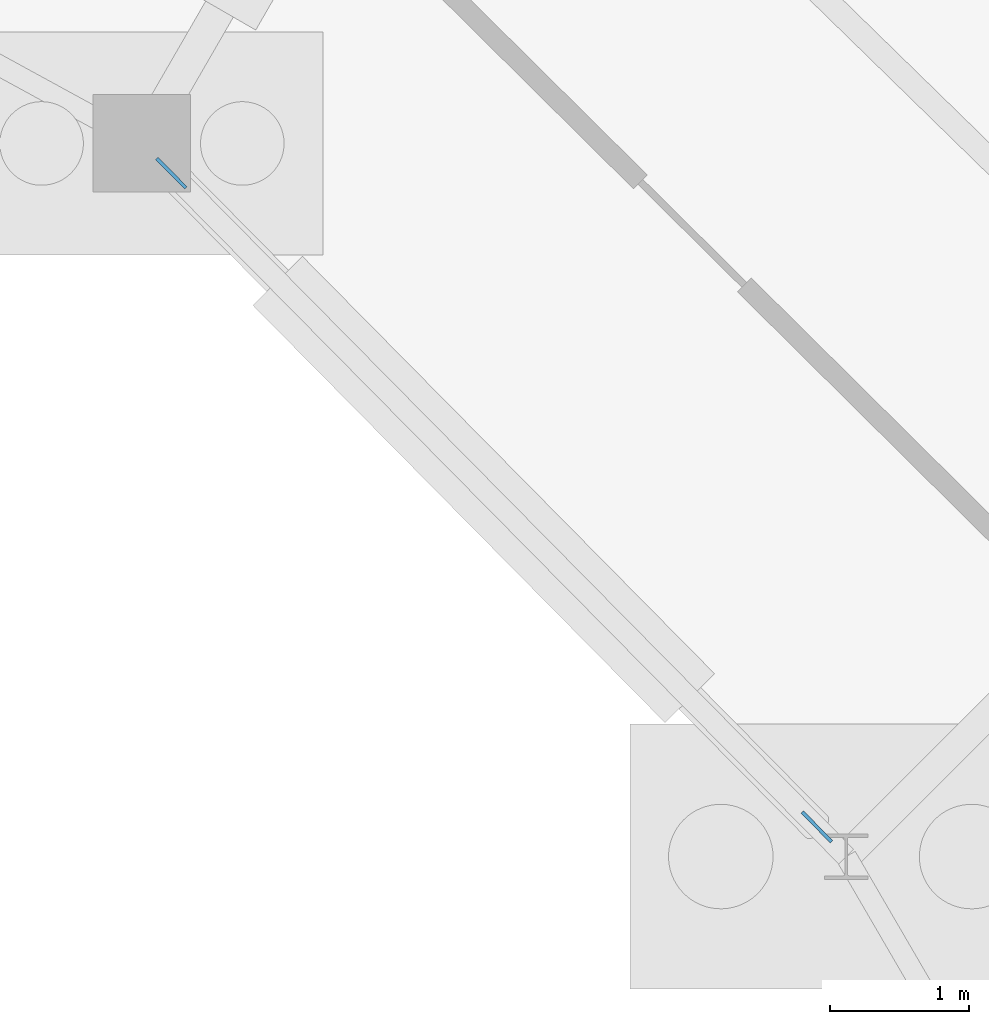
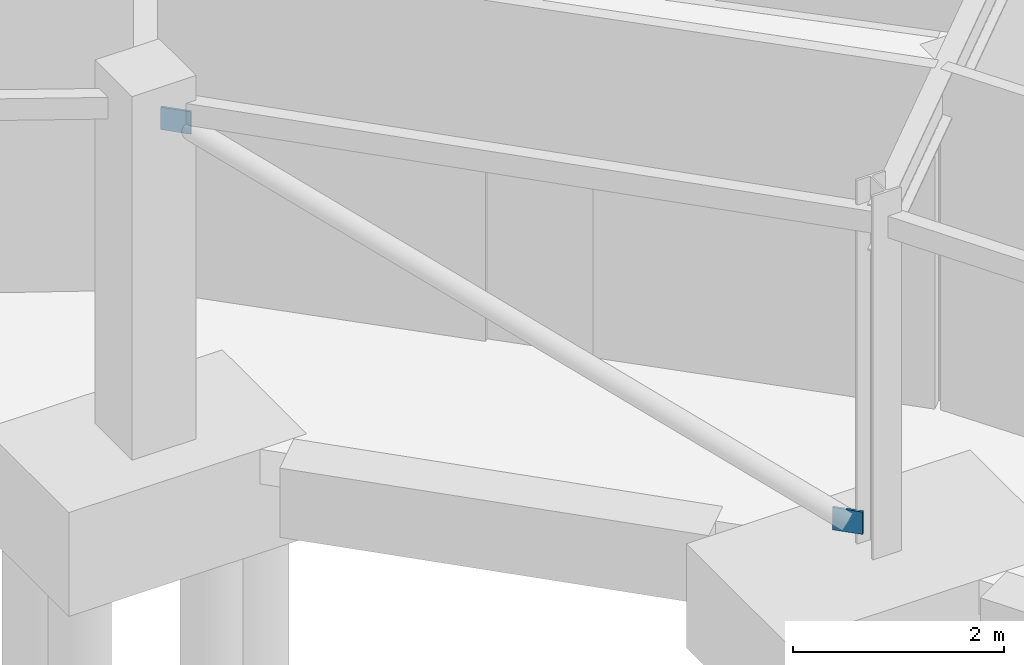
# One storey, part 40 of 58: 2 plates.
"""IFC4 building model written with IfcOpenShell, lengths in metres."""

from ifc_helpers import new_model, si_unit, direction, frame, origin, origin_2d, place, context, subcontext, project, spatial, rectangle, extrude, material, layer, layer_set, type_object, element, save


model = new_model("IFC4")

# Units and contexts
model_context = context("Model", 3, precision=1e-05, world=origin(), true_north=direction((0.0, 1.0)))
body_context = subcontext(model_context, "Body", "Model", "MODEL_VIEW")
ifc_project = project(units=[si_unit("LENGTHUNIT", "METRE"), si_unit("AREAUNIT", "SQUARE_METRE"), si_unit("VOLUMEUNIT", "CUBIC_METRE"), si_unit("PLANEANGLEUNIT", "RADIAN"), si_unit("MASSUNIT", "GRAM", prefix="KILO")], contexts=[model_context])

# Site, building, storey
site_placement = place(None, origin())
site = spatial("IfcSite", under=ifc_project, at=site_placement, CompositionType="ELEMENT")
building_placement = place(site_placement, origin())
building = spatial("IfcBuilding", under=site, at=building_placement, Name="Karori Crest Natural Sciences Institute", CompositionType="ELEMENT")
storey_placement = place(building_placement, frame((0.0, 0.0, -4.199951171875)))
storey = spatial("IfcBuildingStorey", under=building, at=storey_placement, Name="B1", CompositionType="ELEMENT", Elevation=-4.199951171875)

# Plates
ifc_material = material(Name="Structural steel AS/NZS 3679.1 Grade 350", Category="steel")
ifc_layer = layer(ifc_material, 0.02490234375, Name="Structural steel AS/NZS 3679.1 Grade 350")
ifc_layer_set = layer_set([ifc_layer], Name="Structural steel AS/NZS 3679.1 Grade 350")
plate_type = type_object("IfcPlateType", Name="PLT-06", PredefinedType="SHEET", material=ifc_layer_set)
for number, where, z_axis, x_axis, name in (
    (1, (83.442626953125, 72.88232421875, 0.12060546875), (0.0, 0.0, 1.0), (-0.702663630174, 0.711522187167, 0.0), "Brace gusset plate EP-0001"),
    (2, (78.810791015625, 77.572509765625, 3.5205078125), (0.0, 0.0, 1.0), (-0.702663630174, 0.711522187167, 0.0), "Brace gusset plate EP-0002"),
):
    element("IfcPlate", number, at=place(storey_placement, frame(where, z_axis=z_axis, x_axis=x_axis)), inside=storey, type_object=plate_type, Name=name, PredefinedType="SHEET", context=body_context, shape_type="SweptSolid", body=[
        extrude(rectangle(XDim=0.299072265625, YDim=0.02490234375, at=origin_2d()), origin(), (0.0, 0.0, 1.0), 0.259033203125),
    ])

save(model, "model.ifc")
